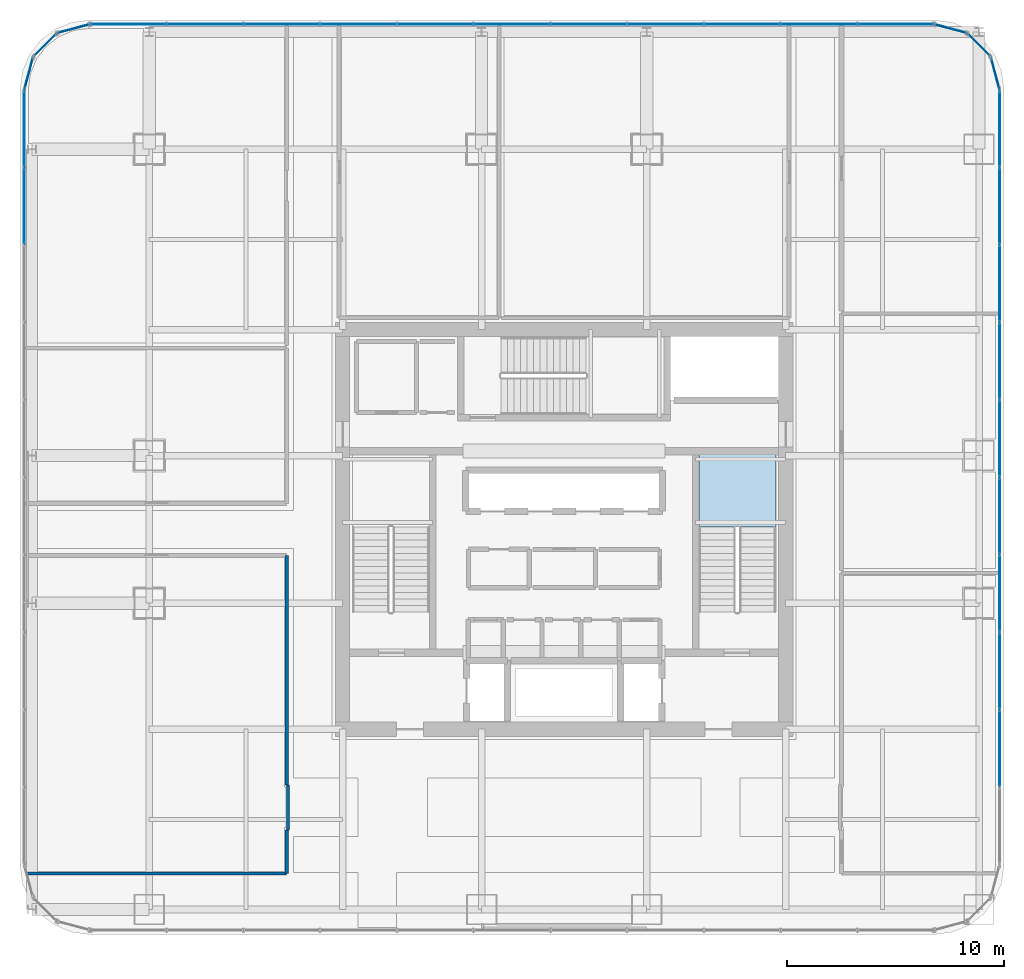
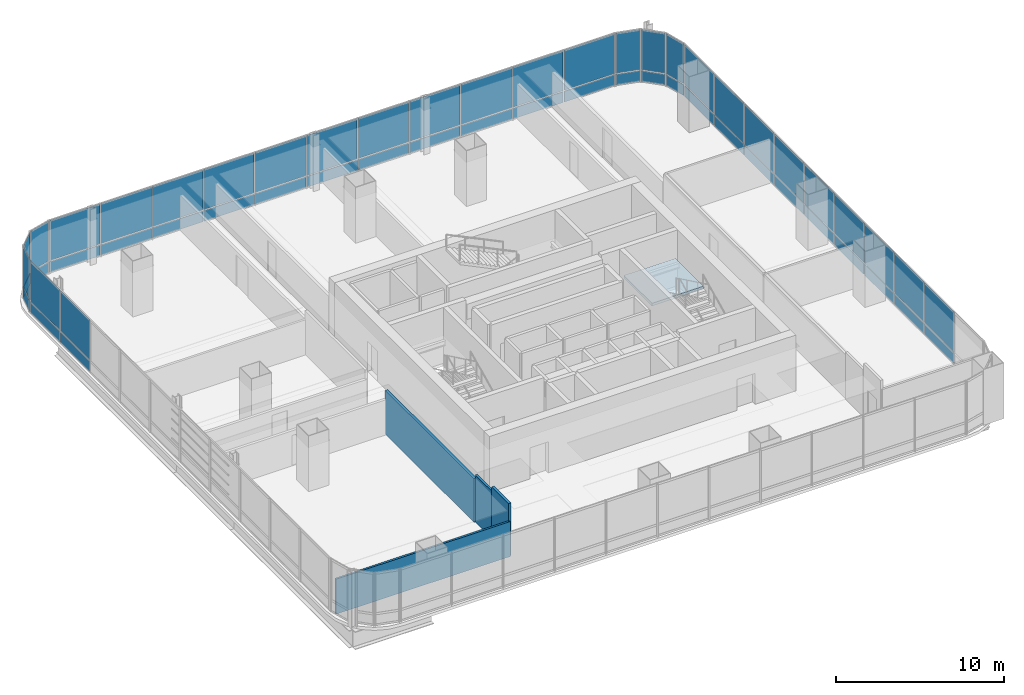
# One storey, part 29 of 38: 56 plates, 4 walls, 1 slab, 10 elements without a shape of their own.
"""IFC4 building model written with IfcOpenShell, lengths in metres."""

from ifc_helpers import new_model, si_unit, direction, frame, frame_2d, origin, origin_2d, place, context, subcontext, project, spatial, polyline, rectangle, outline, extrude, material, layer, layer_set, type_object, element, aggregate, save


model = new_model("IFC4")

# Units and contexts
model_context = context("Model", 3, precision=1e-05, world=origin(), true_north=direction((0.0, 1.0)))
body_context = subcontext(model_context, "Body", "Model", "MODEL_VIEW")
ifc_project = project(units=[si_unit("LENGTHUNIT", "METRE"), si_unit("AREAUNIT", "SQUARE_METRE"), si_unit("VOLUMEUNIT", "CUBIC_METRE"), si_unit("PLANEANGLEUNIT", "RADIAN"), si_unit("MASSUNIT", "GRAM", prefix="KILO")], contexts=[model_context])

# Site, building, storey
site_placement = place(None, origin())
site = spatial("IfcSite", under=ifc_project, at=site_placement, CompositionType="ELEMENT")
building_placement = place(site_placement, origin())
building = spatial("IfcBuilding", under=site, at=building_placement, Name="Punatoya Terracotta Tower", CompositionType="ELEMENT")
storey_placement = place(building_placement, frame((0.0, 0.0, 143.85009765625)))
storey = spatial("IfcBuildingStorey", under=building, at=storey_placement, Name="L33", CompositionType="ELEMENT", Elevation=143.85009765625)

# Curtain wall, plates
ifc_material_1 = material(Name="Aluminium 6063-T6 + Double Low-E Glass", Category="aluminium")
curtain_wall_type = type_object("IfcCurtainWallType", Name="CW-M2", PredefinedType="NOTDEFINED", material=ifc_material_1)
curtain_wall_1_placement = place(storey_placement, origin())
curtain_wall_1 = element("IfcCurtainWall", 1, at=curtain_wall_1_placement, inside=storey, type_object=curtain_wall_type, Name="L33 Curtain Wall CW-L33-E05-1", PredefinedType="NOTDEFINED")
ifc_material_2 = material(Name="Double Low-E Acoustic Vision Glass", Category="glass")
ifc_layer_1 = layer(ifc_material_2, 0.031982421875)
ifc_layer_set_1 = layer_set([ifc_layer_1], Name="Double Low-E Acoustic Vision Glass")
plate_type_1 = type_object("IfcPlateType", Name="PLT-GLZ-32", PredefinedType="CURTAIN_PANEL", material=ifc_layer_set_1)
plate_1_placement = place(storey_placement, frame((20.050048828125, -10.085693359375, 0.889892578125), z_axis=(0.0, 0.0, 1.0), x_axis=(0.0, 1.0, 0.0)))
plate_1 = element("IfcPlate", 2, at=plate_1_placement, type_object=plate_type_1, Name="CW-L33-E05-1 Vision Glass Panel 2", PredefinedType="CURTAIN_PANEL", context=body_context, shape_type="SweptSolid", body=[
    extrude(rectangle(XDim=3.482421875, YDim=0.031982421875, at=origin_2d()), origin(), (0.0, 0.0, 1.0), 2.89990234375),
])
plate_2_placement = place(storey_placement, frame((20.050048828125, -6.518310546875, 0.889892578125), z_axis=(0.0, 0.0, 1.0), x_axis=(0.0, 1.0, 0.0)))
plate_2 = element("IfcPlate", 3, at=plate_2_placement, type_object=plate_type_1, Name="CW-L33-E05-1 Vision Glass Panel 3", PredefinedType="CURTAIN_PANEL", context=body_context, shape_type="SweptSolid", body=[
    extrude(rectangle(XDim=3.482421875, YDim=0.031982421875, at=origin_2d()), origin(), (0.0, 0.0, 1.0), 2.89990234375),
])
plate_3_placement = place(storey_placement, frame((20.050048828125, -2.951171875, 0.889892578125), z_axis=(0.0, 0.0, 1.0), x_axis=(0.0, 1.0, 0.0)))
plate_3 = element("IfcPlate", 4, at=plate_3_placement, type_object=plate_type_1, Name="CW-L33-E05-1 Vision Glass Panel 4", PredefinedType="CURTAIN_PANEL", context=body_context, shape_type="SweptSolid", body=[
    extrude(rectangle(XDim=3.482421875, YDim=0.031982421875, at=origin_2d()), origin(), (0.0, 0.0, 1.0), 2.89990234375),
])
plate_4_placement = place(storey_placement, frame((20.050048828125, 0.6162109375, 0.889892578125), z_axis=(0.0, 0.0, 1.0), x_axis=(0.0, 1.0, 0.0)))
plate_4 = element("IfcPlate", 5, at=plate_4_placement, type_object=plate_type_1, Name="CW-L33-E05-1 Vision Glass Panel 5", PredefinedType="CURTAIN_PANEL", context=body_context, shape_type="SweptSolid", body=[
    extrude(rectangle(XDim=3.482421875, YDim=0.031982421875, at=origin_2d()), origin(), (0.0, 0.0, 1.0), 2.89990234375),
])
plate_5_placement = place(storey_placement, frame((20.050048828125, 4.18359375, 0.889892578125), z_axis=(0.0, 0.0, 1.0), x_axis=(0.0, 1.0, 0.0)))
plate_5 = element("IfcPlate", 6, at=plate_5_placement, type_object=plate_type_1, Name="CW-L33-E05-1 Vision Glass Panel 6", PredefinedType="CURTAIN_PANEL", context=body_context, shape_type="SweptSolid", body=[
    extrude(rectangle(XDim=3.482421875, YDim=0.031982421875, at=origin_2d()), origin(), (0.0, 0.0, 1.0), 2.89990234375),
])
plate_6_placement = place(storey_placement, frame((20.050048828125, 7.751220703125, 0.889892578125), z_axis=(0.0, 0.0, 1.0), x_axis=(0.0, 1.0, 0.0)))
plate_6 = element("IfcPlate", 7, at=plate_6_placement, type_object=plate_type_1, Name="CW-L33-E05-1 Vision Glass Panel 7", PredefinedType="CURTAIN_PANEL", context=body_context, shape_type="SweptSolid", body=[
    extrude(rectangle(XDim=3.482421875, YDim=0.031982421875, at=origin_2d()), origin(), (0.0, 0.0, 1.0), 2.89990234375),
])
plate_7_placement = place(storey_placement, frame((20.050048828125, 11.318359375, 0.889892578125), z_axis=(0.0, 0.0, 1.0), x_axis=(0.0, 1.0, 0.0)))
plate_7 = element("IfcPlate", 8, at=plate_7_placement, type_object=plate_type_1, Name="CW-L33-E05-1 Vision Glass Panel 8", PredefinedType="CURTAIN_PANEL", context=body_context, shape_type="SweptSolid", body=[
    extrude(rectangle(XDim=3.482421875, YDim=0.031982421875, at=origin_2d()), origin(), (0.0, 0.0, 1.0), 2.89990234375),
])
plate_8_placement = place(storey_placement, frame((20.050048828125, 14.8857421875, 0.889892578125), z_axis=(0.0, 0.0, 1.0), x_axis=(0.0, 1.0, 0.0)))
plate_8 = element("IfcPlate", 9, at=plate_8_placement, type_object=plate_type_1, Name="CW-L33-E05-1 Vision Glass Panel 9", PredefinedType="CURTAIN_PANEL", context=body_context, shape_type="SweptSolid", body=[
    extrude(rectangle(XDim=3.482421875, YDim=0.031982421875, at=origin_2d()), origin(), (0.0, 0.0, 1.0), 2.89990234375),
])
plate_9_placement = place(storey_placement, frame((20.050048828125, 18.453125, 0.889892578125), z_axis=(0.0, 0.0, 1.0), x_axis=(0.0, 1.0, 0.0)))
plate_9 = element("IfcPlate", 10, at=plate_9_placement, type_object=plate_type_1, Name="CW-L33-E05-1 Vision Glass Panel 10", PredefinedType="CURTAIN_PANEL", context=body_context, shape_type="SweptSolid", body=[
    extrude(rectangle(XDim=3.482421875, YDim=0.031982421875, at=origin_2d()), origin(), (0.0, 0.0, 1.0), 2.89990234375),
])

# Curtain wall, plate
curtain_wall_2_placement = place(storey_placement, origin())
curtain_wall_2 = element("IfcCurtainWall", 11, at=curtain_wall_2_placement, inside=storey, type_object=curtain_wall_type, Name="L33 Curtain Wall CW-L33-CRN06", PredefinedType="NOTDEFINED")
plate_10_placement = place(storey_placement, frame((19.848388671875, 20.992919921875, 0.889892578125), z_axis=(0.0, 0.0, 1.0), x_axis=(-0.257741620719, 0.966213877436, 0.0)))
plate_10 = element("IfcPlate", 12, at=plate_10_placement, type_object=plate_type_1, Name="CW-L33-CRN06 Vision Glass Panel 1", PredefinedType="CURTAIN_PANEL", context=body_context, shape_type="SweptSolid", body=[
    extrude(rectangle(XDim=1.47998046875, YDim=0.031982421875, at=origin_2d()), origin(), (0.0, 0.0, 1.0), 2.89990234375),
])

curtain_wall_3_placement = place(storey_placement, origin())
curtain_wall_3 = element("IfcCurtainWall", 13, at=curtain_wall_3_placement, inside=storey, type_object=curtain_wall_type, Name="L33 Curtain Wall CW-L33-CRN07", PredefinedType="NOTDEFINED")
plate_11_placement = place(storey_placement, frame((19.097900390625, 22.2978515625, 0.889892578125), z_axis=(0.0, 0.0, 1.0), x_axis=(-0.707106781187, 0.707106781187, 0.0)))
plate_11 = element("IfcPlate", 14, at=plate_11_placement, type_object=plate_type_1, Name="CW-L33-CRN07 Vision Glass Panel 1", PredefinedType="CURTAIN_PANEL", context=body_context, shape_type="SweptSolid", body=[
    extrude(rectangle(XDim=1.467041015625, YDim=0.031982421875, at=origin_2d()), origin(), (0.0, 0.0, 1.0), 2.89990234375),
])

curtain_wall_4_placement = place(storey_placement, origin())
curtain_wall_4 = element("IfcCurtainWall", 15, at=curtain_wall_4_placement, inside=storey, type_object=curtain_wall_type, Name="L33 Curtain Wall CW-L33-CRN08", PredefinedType="NOTDEFINED")
plate_12_placement = place(storey_placement, frame((17.79296875, 23.04833984375, 0.889892578125), z_axis=(0.0, 0.0, 1.0), x_axis=(-0.966213877436, 0.257741620719, 0.0)))
plate_12 = element("IfcPlate", 16, at=plate_12_placement, type_object=plate_type_1, Name="CW-L33-CRN08 Vision Glass Panel 1", PredefinedType="CURTAIN_PANEL", context=body_context, shape_type="SweptSolid", body=[
    extrude(rectangle(XDim=1.47998046875, YDim=0.031982421875, at=origin_2d()), origin(), (0.0, 0.0, 1.0), 2.89990234375),
])

# Curtain wall, plates
curtain_wall_5_placement = place(storey_placement, origin())
curtain_wall_5 = element("IfcCurtainWall", 17, at=curtain_wall_5_placement, inside=storey, type_object=curtain_wall_type, Name="L33 Curtain Wall CW-L33-N09-1", PredefinedType="NOTDEFINED")
plate_13_placement = place(storey_placement, frame((15.27001953125, 23.25, 0.889892578125), z_axis=(0.0, 0.0, 1.0), x_axis=(-1.0, 0.0, 0.0)))
plate_13 = element("IfcPlate", 18, at=plate_13_placement, type_object=plate_type_1, Name="CW-L33-N09-1 Vision Glass Panel 1", PredefinedType="CURTAIN_PANEL", context=body_context, shape_type="SweptSolid", body=[
    extrude(rectangle(XDim=3.448974609375, YDim=0.031982421875, at=origin_2d()), origin(), (0.0, 0.0, 1.0), 2.89990234375),
])
plate_14_placement = place(storey_placement, frame((11.73583984375, 23.25, 0.889892578125), z_axis=(0.0, 0.0, 1.0), x_axis=(-1.0, 0.0, 0.0)))
plate_14 = element("IfcPlate", 19, at=plate_14_placement, type_object=plate_type_1, Name="CW-L33-N09-1 Vision Glass Panel 2", PredefinedType="CURTAIN_PANEL", context=body_context, shape_type="SweptSolid", body=[
    extrude(rectangle(XDim=3.448974609375, YDim=0.031982421875, at=origin_2d()), origin(), (0.0, 0.0, 1.0), 2.89990234375),
])
plate_15_placement = place(storey_placement, frame((8.201904296875, 23.25, 0.889892578125), z_axis=(0.0, 0.0, 1.0), x_axis=(-1.0, 0.0, 0.0)))
plate_15 = element("IfcPlate", 20, at=plate_15_placement, type_object=plate_type_1, Name="CW-L33-N09-1 Vision Glass Panel 3", PredefinedType="CURTAIN_PANEL", context=body_context, shape_type="SweptSolid", body=[
    extrude(rectangle(XDim=3.448974609375, YDim=0.031982421875, at=origin_2d()), origin(), (0.0, 0.0, 1.0), 2.89990234375),
])
plate_16_placement = place(storey_placement, frame((4.66796875, 23.25, 0.889892578125), z_axis=(0.0, 0.0, 1.0), x_axis=(-1.0, 0.0, 0.0)))
plate_16 = element("IfcPlate", 21, at=plate_16_placement, type_object=plate_type_1, Name="CW-L33-N09-1 Vision Glass Panel 4", PredefinedType="CURTAIN_PANEL", context=body_context, shape_type="SweptSolid", body=[
    extrude(rectangle(XDim=3.448974609375, YDim=0.031982421875, at=origin_2d()), origin(), (0.0, 0.0, 1.0), 2.89990234375),
])
plate_17_placement = place(storey_placement, frame((1.134033203125, 23.25, 0.889892578125), z_axis=(0.0, 0.0, 1.0), x_axis=(-1.0, 0.0, 0.0)))
plate_17 = element("IfcPlate", 22, at=plate_17_placement, type_object=plate_type_1, Name="CW-L33-N09-1 Vision Glass Panel 5", PredefinedType="CURTAIN_PANEL", context=body_context, shape_type="SweptSolid", body=[
    extrude(rectangle(XDim=3.448974609375, YDim=0.031982421875, at=origin_2d()), origin(), (0.0, 0.0, 1.0), 2.89990234375),
])
plate_18_placement = place(storey_placement, frame((-2.39990234375, 23.25, 0.889892578125), z_axis=(0.0, 0.0, 1.0), x_axis=(-1.0, 0.0, 0.0)))
plate_18 = element("IfcPlate", 23, at=plate_18_placement, type_object=plate_type_1, Name="CW-L33-N09-1 Vision Glass Panel 6", PredefinedType="CURTAIN_PANEL", context=body_context, shape_type="SweptSolid", body=[
    extrude(rectangle(XDim=3.448974609375, YDim=0.031982421875, at=origin_2d()), origin(), (0.0, 0.0, 1.0), 2.89990234375),
])
plate_19_placement = place(storey_placement, frame((-5.93408203125, 23.25, 0.889892578125), z_axis=(0.0, 0.0, 1.0), x_axis=(-1.0, 0.0, 0.0)))
plate_19 = element("IfcPlate", 24, at=plate_19_placement, type_object=plate_type_1, Name="CW-L33-N09-1 Vision Glass Panel 7", PredefinedType="CURTAIN_PANEL", context=body_context, shape_type="SweptSolid", body=[
    extrude(rectangle(XDim=3.448974609375, YDim=0.031982421875, at=origin_2d()), origin(), (0.0, 0.0, 1.0), 2.89990234375),
])
plate_20_placement = place(storey_placement, frame((-9.468017578125, 23.25, 0.889892578125), z_axis=(0.0, 0.0, 1.0), x_axis=(-1.0, 0.0, 0.0)))
plate_20 = element("IfcPlate", 25, at=plate_20_placement, type_object=plate_type_1, Name="CW-L33-N09-1 Vision Glass Panel 8", PredefinedType="CURTAIN_PANEL", context=body_context, shape_type="SweptSolid", body=[
    extrude(rectangle(XDim=3.448974609375, YDim=0.031982421875, at=origin_2d()), origin(), (0.0, 0.0, 1.0), 2.89990234375),
])
plate_21_placement = place(storey_placement, frame((-13.001953125, 23.25, 0.889892578125), z_axis=(0.0, 0.0, 1.0), x_axis=(-1.0, 0.0, 0.0)))
plate_21 = element("IfcPlate", 26, at=plate_21_placement, type_object=plate_type_1, Name="CW-L33-N09-1 Vision Glass Panel 9", PredefinedType="CURTAIN_PANEL", context=body_context, shape_type="SweptSolid", body=[
    extrude(rectangle(XDim=3.448974609375, YDim=0.031982421875, at=origin_2d()), origin(), (0.0, 0.0, 1.0), 2.89990234375),
])
plate_22_placement = place(storey_placement, frame((-16.535888671875, 23.25, 0.889892578125), z_axis=(0.0, 0.0, 1.0), x_axis=(-1.0, 0.0, 0.0)))
plate_22 = element("IfcPlate", 27, at=plate_22_placement, type_object=plate_type_1, Name="CW-L33-N09-1 Vision Glass Panel 10", PredefinedType="CURTAIN_PANEL", context=body_context, shape_type="SweptSolid", body=[
    extrude(rectangle(XDim=3.448974609375, YDim=0.031982421875, at=origin_2d()), origin(), (0.0, 0.0, 1.0), 2.89990234375),
])
plate_23_placement = place(storey_placement, frame((-20.06982421875, 23.25, 0.889892578125), z_axis=(0.0, 0.0, 1.0), x_axis=(-1.0, 0.0, 0.0)))
plate_23 = element("IfcPlate", 28, at=plate_23_placement, type_object=plate_type_1, Name="CW-L33-N09-1 Vision Glass Panel 11", PredefinedType="CURTAIN_PANEL", context=body_context, shape_type="SweptSolid", body=[
    extrude(rectangle(XDim=3.448974609375, YDim=0.031982421875, at=origin_2d()), origin(), (0.0, 0.0, 1.0), 2.89990234375),
])

# Curtain wall, plate
curtain_wall_6_placement = place(storey_placement, origin())
curtain_wall_6 = element("IfcCurtainWall", 29, at=curtain_wall_6_placement, inside=storey, type_object=curtain_wall_type, Name="L33 Curtain Wall CW-L33-CRN10", PredefinedType="NOTDEFINED")
plate_24_placement = place(storey_placement, frame((-22.593017578125, 23.04833984375, 0.889892578125), z_axis=(0.0, 0.0, 1.0), x_axis=(-0.966213877436, -0.257741620719, 0.0)))
plate_24 = element("IfcPlate", 30, at=plate_24_placement, type_object=plate_type_1, Name="CW-L33-CRN10 Vision Glass Panel 1", PredefinedType="CURTAIN_PANEL", context=body_context, shape_type="SweptSolid", body=[
    extrude(rectangle(XDim=1.47998046875, YDim=0.031982421875, at=origin_2d()), origin(), (0.0, 0.0, 1.0), 2.89990234375),
])

curtain_wall_7_placement = place(storey_placement, origin())
curtain_wall_7 = element("IfcCurtainWall", 31, at=curtain_wall_7_placement, inside=storey, type_object=curtain_wall_type, Name="L33 Curtain Wall CW-L33-CRN11", PredefinedType="NOTDEFINED")
plate_25_placement = place(storey_placement, frame((-23.89794921875, 22.2978515625, 0.889892578125), z_axis=(0.0, 0.0, 1.0), x_axis=(-0.707106781187, -0.707106781187, 0.0)))
plate_25 = element("IfcPlate", 32, at=plate_25_placement, type_object=plate_type_1, Name="CW-L33-CRN11 Vision Glass Panel 1", PredefinedType="CURTAIN_PANEL", context=body_context, shape_type="SweptSolid", body=[
    extrude(rectangle(XDim=1.467041015625, YDim=0.031982421875, at=origin_2d()), origin(), (0.0, 0.0, 1.0), 2.89990234375),
])

curtain_wall_8_placement = place(storey_placement, origin())
curtain_wall_8 = element("IfcCurtainWall", 33, at=curtain_wall_8_placement, inside=storey, type_object=curtain_wall_type, Name="L33 Curtain Wall CW-L33-CRN12", PredefinedType="NOTDEFINED")
plate_26_placement = place(storey_placement, frame((-24.648193359375, 20.992919921875, 0.889892578125), z_axis=(0.0, 0.0, 1.0), x_axis=(-0.257741620719, -0.966213877436, 0.0)))
plate_26 = element("IfcPlate", 34, at=plate_26_placement, type_object=plate_type_1, Name="CW-L33-CRN12 Vision Glass Panel 1", PredefinedType="CURTAIN_PANEL", context=body_context, shape_type="SweptSolid", body=[
    extrude(rectangle(XDim=1.47998046875, YDim=0.031982421875, at=origin_2d()), origin(), (0.0, 0.0, 1.0), 2.89990234375),
])

# Curtain wall, plates
curtain_wall_9_placement = place(storey_placement, origin())
curtain_wall_9 = element("IfcCurtainWall", 35, at=curtain_wall_9_placement, inside=storey, type_object=curtain_wall_type, Name="L33 Curtain Wall CW-L33-W13-1", PredefinedType="NOTDEFINED")
plate_27_placement = place(storey_placement, frame((-24.85009765625, 18.453125, 0.889892578125), z_axis=(0.0, 0.0, 1.0), x_axis=(0.0, -1.0, 0.0)))
plate_27 = element("IfcPlate", 36, at=plate_27_placement, type_object=plate_type_1, Name="CW-L33-W13-1 Vision Glass Panel 1", PredefinedType="CURTAIN_PANEL", context=body_context, shape_type="SweptSolid", body=[
    extrude(rectangle(XDim=3.482421875, YDim=0.031982421875, at=origin_2d()), origin(), (0.0, 0.0, 1.0), 2.89990234375),
])
plate_28_placement = place(storey_placement, frame((-24.85009765625, 14.8857421875, 0.889892578125), z_axis=(0.0, 0.0, 1.0), x_axis=(0.0, -1.0, 0.0)))
plate_28 = element("IfcPlate", 37, at=plate_28_placement, type_object=plate_type_1, Name="CW-L33-W13-1 Vision Glass Panel 2", PredefinedType="CURTAIN_PANEL", context=body_context, shape_type="SweptSolid", body=[
    extrude(rectangle(XDim=3.482421875, YDim=0.031982421875, at=origin_2d()), origin(), (0.0, 0.0, 1.0), 2.89990234375),
])

# Plate
ifc_material_3 = material(Name="Insulated Terracotta-Backed Spandrel Panel", Category="masonry")
ifc_layer_2 = layer(ifc_material_3, 0.044921875)
ifc_layer_set_2 = layer_set([ifc_layer_2], Name="Insulated Terracotta-Backed Spandrel Panel")
plate_type_2 = type_object("IfcPlateType", Name="PLT-SPN-45", PredefinedType="CURTAIN_PANEL", material=ifc_layer_set_2)
plate_29_placement = place(storey_placement, frame((20.050048828125, -10.085693359375, 0.0400390625), z_axis=(0.0, 0.0, 1.0), x_axis=(0.0, 1.0, 0.0)))
plate_29 = element("IfcPlate", 38, at=plate_29_placement, type_object=plate_type_2, Name="CW-L33-E05-1 Terracotta Spandrel Panel 2", PredefinedType="CURTAIN_PANEL", context=body_context, shape_type="SweptSolid", body=[
    extrude(rectangle(XDim=3.482421875, YDim=0.044921875, at=origin_2d()), origin(), (0.0, 0.0, 1.0), 0.77490234375),
])

plate_30_placement = place(storey_placement, frame((20.050048828125, -6.518310546875, 0.0400390625), z_axis=(0.0, 0.0, 1.0), x_axis=(0.0, 1.0, 0.0)))
plate_30 = element("IfcPlate", 39, at=plate_30_placement, type_object=plate_type_2, Name="CW-L33-E05-1 Terracotta Spandrel Panel 3", PredefinedType="CURTAIN_PANEL", context=body_context, shape_type="SweptSolid", body=[
    extrude(rectangle(XDim=3.482421875, YDim=0.044921875, at=origin_2d()), origin(), (0.0, 0.0, 1.0), 0.77490234375),
])

plate_31_placement = place(storey_placement, frame((20.050048828125, -2.951171875, 0.0400390625), z_axis=(0.0, 0.0, 1.0), x_axis=(0.0, 1.0, 0.0)))
plate_31 = element("IfcPlate", 40, at=plate_31_placement, type_object=plate_type_2, Name="CW-L33-E05-1 Terracotta Spandrel Panel 4", PredefinedType="CURTAIN_PANEL", context=body_context, shape_type="SweptSolid", body=[
    extrude(rectangle(XDim=3.482421875, YDim=0.044921875, at=origin_2d()), origin(), (0.0, 0.0, 1.0), 0.77490234375),
])

plate_32_placement = place(storey_placement, frame((20.050048828125, 0.6162109375, 0.0400390625), z_axis=(0.0, 0.0, 1.0), x_axis=(0.0, 1.0, 0.0)))
plate_32 = element("IfcPlate", 41, at=plate_32_placement, type_object=plate_type_2, Name="CW-L33-E05-1 Terracotta Spandrel Panel 5", PredefinedType="CURTAIN_PANEL", context=body_context, shape_type="SweptSolid", body=[
    extrude(rectangle(XDim=3.482421875, YDim=0.044921875, at=origin_2d()), origin(), (0.0, 0.0, 1.0), 0.77490234375),
])

plate_33_placement = place(storey_placement, frame((20.050048828125, 4.18359375, 0.0400390625), z_axis=(0.0, 0.0, 1.0), x_axis=(0.0, 1.0, 0.0)))
plate_33 = element("IfcPlate", 42, at=plate_33_placement, type_object=plate_type_2, Name="CW-L33-E05-1 Terracotta Spandrel Panel 6", PredefinedType="CURTAIN_PANEL", context=body_context, shape_type="SweptSolid", body=[
    extrude(rectangle(XDim=3.482421875, YDim=0.044921875, at=origin_2d()), origin(), (0.0, 0.0, 1.0), 0.77490234375),
])

plate_34_placement = place(storey_placement, frame((20.050048828125, 7.751220703125, 0.0400390625), z_axis=(0.0, 0.0, 1.0), x_axis=(0.0, 1.0, 0.0)))
plate_34 = element("IfcPlate", 43, at=plate_34_placement, type_object=plate_type_2, Name="CW-L33-E05-1 Terracotta Spandrel Panel 7", PredefinedType="CURTAIN_PANEL", context=body_context, shape_type="SweptSolid", body=[
    extrude(rectangle(XDim=3.482421875, YDim=0.044921875, at=origin_2d()), origin(), (0.0, 0.0, 1.0), 0.77490234375),
])

plate_35_placement = place(storey_placement, frame((20.050048828125, 11.318359375, 0.0400390625), z_axis=(0.0, 0.0, 1.0), x_axis=(0.0, 1.0, 0.0)))
plate_35 = element("IfcPlate", 44, at=plate_35_placement, type_object=plate_type_2, Name="CW-L33-E05-1 Terracotta Spandrel Panel 8", PredefinedType="CURTAIN_PANEL", context=body_context, shape_type="SweptSolid", body=[
    extrude(rectangle(XDim=3.482421875, YDim=0.044921875, at=origin_2d()), origin(), (0.0, 0.0, 1.0), 0.77490234375),
])

plate_36_placement = place(storey_placement, frame((20.050048828125, 14.8857421875, 0.0400390625), z_axis=(0.0, 0.0, 1.0), x_axis=(0.0, 1.0, 0.0)))
plate_36 = element("IfcPlate", 45, at=plate_36_placement, type_object=plate_type_2, Name="CW-L33-E05-1 Terracotta Spandrel Panel 9", PredefinedType="CURTAIN_PANEL", context=body_context, shape_type="SweptSolid", body=[
    extrude(rectangle(XDim=3.482421875, YDim=0.044921875, at=origin_2d()), origin(), (0.0, 0.0, 1.0), 0.77490234375),
])

plate_37_placement = place(storey_placement, frame((20.050048828125, 18.453125, 0.0400390625), z_axis=(0.0, 0.0, 1.0), x_axis=(0.0, 1.0, 0.0)))
plate_37 = element("IfcPlate", 46, at=plate_37_placement, type_object=plate_type_2, Name="CW-L33-E05-1 Terracotta Spandrel Panel 10", PredefinedType="CURTAIN_PANEL", context=body_context, shape_type="SweptSolid", body=[
    extrude(rectangle(XDim=3.482421875, YDim=0.044921875, at=origin_2d()), origin(), (0.0, 0.0, 1.0), 0.77490234375),
])

aggregate(curtain_wall_1, [plate_29, plate_1, plate_30, plate_2, plate_31, plate_3, plate_32, plate_4, plate_33, plate_5, plate_34, plate_6, plate_35, plate_7, plate_36, plate_8, plate_37, plate_9])

plate_38_placement = place(storey_placement, frame((19.848388671875, 20.992919921875, 0.0400390625), z_axis=(0.0, 0.0, 1.0), x_axis=(-0.257741620719, 0.966213877436, 0.0)))
plate_38 = element("IfcPlate", 47, at=plate_38_placement, type_object=plate_type_2, Name="CW-L33-CRN06 Terracotta Spandrel Panel 1", PredefinedType="CURTAIN_PANEL", context=body_context, shape_type="SweptSolid", body=[
    extrude(rectangle(XDim=1.47998046875, YDim=0.044921875, at=origin_2d()), origin(), (0.0, 0.0, 1.0), 0.77490234375),
])

aggregate(curtain_wall_2, [plate_38, plate_10])

plate_39_placement = place(storey_placement, frame((19.097900390625, 22.2978515625, 0.0400390625), z_axis=(0.0, 0.0, 1.0), x_axis=(-0.707106781187, 0.707106781187, 0.0)))
plate_39 = element("IfcPlate", 48, at=plate_39_placement, type_object=plate_type_2, Name="CW-L33-CRN07 Terracotta Spandrel Panel 1", PredefinedType="CURTAIN_PANEL", context=body_context, shape_type="SweptSolid", body=[
    extrude(rectangle(XDim=1.467041015625, YDim=0.044921875, at=origin_2d()), origin(), (0.0, 0.0, 1.0), 0.77490234375),
])

aggregate(curtain_wall_3, [plate_39, plate_11])

plate_40_placement = place(storey_placement, frame((17.79296875, 23.04833984375, 0.0400390625), z_axis=(0.0, 0.0, 1.0), x_axis=(-0.966213877436, 0.257741620719, 0.0)))
plate_40 = element("IfcPlate", 49, at=plate_40_placement, type_object=plate_type_2, Name="CW-L33-CRN08 Terracotta Spandrel Panel 1", PredefinedType="CURTAIN_PANEL", context=body_context, shape_type="SweptSolid", body=[
    extrude(rectangle(XDim=1.47998046875, YDim=0.044921875, at=origin_2d()), origin(), (0.0, 0.0, 1.0), 0.77490234375),
])

aggregate(curtain_wall_4, [plate_40, plate_12])

plate_41_placement = place(storey_placement, frame((15.27001953125, 23.25, 0.0400390625), z_axis=(0.0, 0.0, 1.0), x_axis=(-1.0, 0.0, 0.0)))
plate_41 = element("IfcPlate", 50, at=plate_41_placement, type_object=plate_type_2, Name="CW-L33-N09-1 Terracotta Spandrel Panel 1", PredefinedType="CURTAIN_PANEL", context=body_context, shape_type="SweptSolid", body=[
    extrude(rectangle(XDim=3.448974609375, YDim=0.044921875, at=origin_2d()), origin(), (0.0, 0.0, 1.0), 0.77490234375),
])

plate_42_placement = place(storey_placement, frame((11.73583984375, 23.25, 0.0400390625), z_axis=(0.0, 0.0, 1.0), x_axis=(-1.0, 0.0, 0.0)))
plate_42 = element("IfcPlate", 51, at=plate_42_placement, type_object=plate_type_2, Name="CW-L33-N09-1 Terracotta Spandrel Panel 2", PredefinedType="CURTAIN_PANEL", context=body_context, shape_type="SweptSolid", body=[
    extrude(rectangle(XDim=3.448974609375, YDim=0.044921875, at=origin_2d()), origin(), (0.0, 0.0, 1.0), 0.77490234375),
])

plate_43_placement = place(storey_placement, frame((8.201904296875, 23.25, 0.0400390625), z_axis=(0.0, 0.0, 1.0), x_axis=(-1.0, 0.0, 0.0)))
plate_43 = element("IfcPlate", 52, at=plate_43_placement, type_object=plate_type_2, Name="CW-L33-N09-1 Terracotta Spandrel Panel 3", PredefinedType="CURTAIN_PANEL", context=body_context, shape_type="SweptSolid", body=[
    extrude(rectangle(XDim=3.448974609375, YDim=0.044921875, at=origin_2d()), origin(), (0.0, 0.0, 1.0), 0.77490234375),
])

plate_44_placement = place(storey_placement, frame((4.66796875, 23.25, 0.0400390625), z_axis=(0.0, 0.0, 1.0), x_axis=(-1.0, 0.0, 0.0)))
plate_44 = element("IfcPlate", 53, at=plate_44_placement, type_object=plate_type_2, Name="CW-L33-N09-1 Terracotta Spandrel Panel 4", PredefinedType="CURTAIN_PANEL", context=body_context, shape_type="SweptSolid", body=[
    extrude(rectangle(XDim=3.448974609375, YDim=0.044921875, at=origin_2d()), origin(), (0.0, 0.0, 1.0), 0.77490234375),
])

plate_45_placement = place(storey_placement, frame((1.134033203125, 23.25, 0.0400390625), z_axis=(0.0, 0.0, 1.0), x_axis=(-1.0, 0.0, 0.0)))
plate_45 = element("IfcPlate", 54, at=plate_45_placement, type_object=plate_type_2, Name="CW-L33-N09-1 Terracotta Spandrel Panel 5", PredefinedType="CURTAIN_PANEL", context=body_context, shape_type="SweptSolid", body=[
    extrude(rectangle(XDim=3.448974609375, YDim=0.044921875, at=origin_2d()), origin(), (0.0, 0.0, 1.0), 0.77490234375),
])

plate_46_placement = place(storey_placement, frame((-2.39990234375, 23.25, 0.0400390625), z_axis=(0.0, 0.0, 1.0), x_axis=(-1.0, 0.0, 0.0)))
plate_46 = element("IfcPlate", 55, at=plate_46_placement, type_object=plate_type_2, Name="CW-L33-N09-1 Terracotta Spandrel Panel 6", PredefinedType="CURTAIN_PANEL", context=body_context, shape_type="SweptSolid", body=[
    extrude(rectangle(XDim=3.448974609375, YDim=0.044921875, at=origin_2d()), origin(), (0.0, 0.0, 1.0), 0.77490234375),
])

plate_47_placement = place(storey_placement, frame((-5.93408203125, 23.25, 0.0400390625), z_axis=(0.0, 0.0, 1.0), x_axis=(-1.0, 0.0, 0.0)))
plate_47 = element("IfcPlate", 56, at=plate_47_placement, type_object=plate_type_2, Name="CW-L33-N09-1 Terracotta Spandrel Panel 7", PredefinedType="CURTAIN_PANEL", context=body_context, shape_type="SweptSolid", body=[
    extrude(rectangle(XDim=3.448974609375, YDim=0.044921875, at=origin_2d()), origin(), (0.0, 0.0, 1.0), 0.77490234375),
])

plate_48_placement = place(storey_placement, frame((-9.468017578125, 23.25, 0.0400390625), z_axis=(0.0, 0.0, 1.0), x_axis=(-1.0, 0.0, 0.0)))
plate_48 = element("IfcPlate", 57, at=plate_48_placement, type_object=plate_type_2, Name="CW-L33-N09-1 Terracotta Spandrel Panel 8", PredefinedType="CURTAIN_PANEL", context=body_context, shape_type="SweptSolid", body=[
    extrude(rectangle(XDim=3.448974609375, YDim=0.044921875, at=origin_2d()), origin(), (0.0, 0.0, 1.0), 0.77490234375),
])

plate_49_placement = place(storey_placement, frame((-13.001953125, 23.25, 0.0400390625), z_axis=(0.0, 0.0, 1.0), x_axis=(-1.0, 0.0, 0.0)))
plate_49 = element("IfcPlate", 58, at=plate_49_placement, type_object=plate_type_2, Name="CW-L33-N09-1 Terracotta Spandrel Panel 9", PredefinedType="CURTAIN_PANEL", context=body_context, shape_type="SweptSolid", body=[
    extrude(rectangle(XDim=3.448974609375, YDim=0.044921875, at=origin_2d()), origin(), (0.0, 0.0, 1.0), 0.77490234375),
])

plate_50_placement = place(storey_placement, frame((-16.535888671875, 23.25, 0.0400390625), z_axis=(0.0, 0.0, 1.0), x_axis=(-1.0, 0.0, 0.0)))
plate_50 = element("IfcPlate", 59, at=plate_50_placement, type_object=plate_type_2, Name="CW-L33-N09-1 Terracotta Spandrel Panel 10", PredefinedType="CURTAIN_PANEL", context=body_context, shape_type="SweptSolid", body=[
    extrude(rectangle(XDim=3.448974609375, YDim=0.044921875, at=origin_2d()), origin(), (0.0, 0.0, 1.0), 0.77490234375),
])

plate_51_placement = place(storey_placement, frame((-20.06982421875, 23.25, 0.0400390625), z_axis=(0.0, 0.0, 1.0), x_axis=(-1.0, 0.0, 0.0)))
plate_51 = element("IfcPlate", 60, at=plate_51_placement, type_object=plate_type_2, Name="CW-L33-N09-1 Terracotta Spandrel Panel 11", PredefinedType="CURTAIN_PANEL", context=body_context, shape_type="SweptSolid", body=[
    extrude(rectangle(XDim=3.448974609375, YDim=0.044921875, at=origin_2d()), origin(), (0.0, 0.0, 1.0), 0.77490234375),
])

aggregate(curtain_wall_5, [plate_41, plate_13, plate_42, plate_14, plate_43, plate_15, plate_44, plate_16, plate_45, plate_17, plate_46, plate_18, plate_47, plate_19, plate_48, plate_20, plate_49, plate_21, plate_50, plate_22, plate_51, plate_23])

plate_52_placement = place(storey_placement, frame((-22.593017578125, 23.04833984375, 0.0400390625), z_axis=(0.0, 0.0, 1.0), x_axis=(-0.966213877436, -0.257741620719, 0.0)))
plate_52 = element("IfcPlate", 61, at=plate_52_placement, type_object=plate_type_2, Name="CW-L33-CRN10 Terracotta Spandrel Panel 1", PredefinedType="CURTAIN_PANEL", context=body_context, shape_type="SweptSolid", body=[
    extrude(rectangle(XDim=1.47998046875, YDim=0.044921875, at=origin_2d()), origin(), (0.0, 0.0, 1.0), 0.77490234375),
])

aggregate(curtain_wall_6, [plate_52, plate_24])

plate_53_placement = place(storey_placement, frame((-23.89794921875, 22.2978515625, 0.0400390625), z_axis=(0.0, 0.0, 1.0), x_axis=(-0.707106781187, -0.707106781187, 0.0)))
plate_53 = element("IfcPlate", 62, at=plate_53_placement, type_object=plate_type_2, Name="CW-L33-CRN11 Terracotta Spandrel Panel 1", PredefinedType="CURTAIN_PANEL", context=body_context, shape_type="SweptSolid", body=[
    extrude(rectangle(XDim=1.467041015625, YDim=0.044921875, at=origin_2d()), origin(), (0.0, 0.0, 1.0), 0.77490234375),
])

aggregate(curtain_wall_7, [plate_53, plate_25])

plate_54_placement = place(storey_placement, frame((-24.648193359375, 20.992919921875, 0.0400390625), z_axis=(0.0, 0.0, 1.0), x_axis=(-0.257741620719, -0.966213877436, 0.0)))
plate_54 = element("IfcPlate", 63, at=plate_54_placement, type_object=plate_type_2, Name="CW-L33-CRN12 Terracotta Spandrel Panel 1", PredefinedType="CURTAIN_PANEL", context=body_context, shape_type="SweptSolid", body=[
    extrude(rectangle(XDim=1.47998046875, YDim=0.044921875, at=origin_2d()), origin(), (0.0, 0.0, 1.0), 0.77490234375),
])

aggregate(curtain_wall_8, [plate_54, plate_26])

plate_55_placement = place(storey_placement, frame((-24.85009765625, 18.453125, 0.0400390625), z_axis=(0.0, 0.0, 1.0), x_axis=(0.0, -1.0, 0.0)))
plate_55 = element("IfcPlate", 64, at=plate_55_placement, type_object=plate_type_2, Name="CW-L33-W13-1 Terracotta Spandrel Panel 1", PredefinedType="CURTAIN_PANEL", context=body_context, shape_type="SweptSolid", body=[
    extrude(rectangle(XDim=3.482421875, YDim=0.044921875, at=origin_2d()), origin(), (0.0, 0.0, 1.0), 0.77490234375),
])

plate_56_placement = place(storey_placement, frame((-24.85009765625, 14.8857421875, 0.0400390625), z_axis=(0.0, 0.0, 1.0), x_axis=(0.0, -1.0, 0.0)))
plate_56 = element("IfcPlate", 65, at=plate_56_placement, type_object=plate_type_2, Name="CW-L33-W13-1 Terracotta Spandrel Panel 2", PredefinedType="CURTAIN_PANEL", context=body_context, shape_type="SweptSolid", body=[
    extrude(rectangle(XDim=3.482421875, YDim=0.044921875, at=origin_2d()), origin(), (0.0, 0.0, 1.0), 0.77490234375),
])

aggregate(curtain_wall_9, [plate_55, plate_27, plate_56, plate_28])

# Stair, slab
ifc_material_4 = material(Name="Concrete C40/50", Category="concrete")
stair_type = type_object("IfcStairType", Name="STR-LOB-1650", PredefinedType="HALF_TURN_STAIR", material=ifc_material_4)
stair_placement = place(storey_placement, origin())
stair = element("IfcStair", 66, at=stair_placement, inside=storey, type_object=stair_type, Name="L33 Protected Core Exit Stair ST-2", PredefinedType="HALF_TURN_STAIR")
ifc_layer_3 = layer(ifc_material_4, 0.179931640625)
ifc_layer_set_3 = layer_set([ifc_layer_3], Name="Concrete C40/50")
slab_type = type_object("IfcSlabType", Name="SLB-LND-180", PredefinedType="LANDING", material=ifc_layer_set_3)
slab_placement = place(storey_placement, frame((0.0, 0.0, 1.824951171875)))
slab = element("IfcSlab", 67, at=slab_placement, type_object=slab_type, Name="ST-2 landing 1", PredefinedType="LANDING", context=body_context, shape_type="SweptSolid", body=[
    extrude(outline(polyline([(9.75, 0.10009765625), (9.75, 3.449951171875), (6.199951171875, 3.449951171875), (6.199951171875, 0.10009765625), (9.75, 0.10009765625)])), origin(), (0.0, 0.0, 1.0), 0.199951171875),
])
aggregate(stair, [slab])

# Walls
ifc_material_5 = material(Name="Gypsum Fireboard + Steel Stud", Category="steel")
ifc_layer_4 = layer(ifc_material_5, 0.179931640625)
ifc_layer_set_4 = layer_set([ifc_layer_4], Name="Gypsum Fireboard + Steel Stud")
wall_type_1 = type_object("IfcWallType", Name="WL-CORR-180", PredefinedType="PARTITIONING", material=ifc_layer_set_4)
wall_1_placement = place(storey_placement, frame((-12.77001953125, -1.199951171875, 0.0), z_axis=(0.0, 0.0, 1.0), x_axis=(0.0, -1.0, 0.0)))
element("IfcWall", 68, at=wall_1_placement, inside=storey, type_object=wall_type_1, Name="L33 Cartography Reference Library Partition 34", PredefinedType="PARTITIONING", context=body_context, shape_type="SweptSolid", body=[
    extrude(rectangle(XDim=10.570068359375, YDim=0.179931640625, at=frame_2d((5.28515625, 0.0))), origin(), (0.0, 0.0, 1.0), 3.173828125),
])
wall_2_placement = place(storey_placement, frame((-12.77001953125, -13.830078125, 0.0), z_axis=(0.0, 0.0, 1.0), x_axis=(0.0, -1.0, 0.0)))
element("IfcWall", 69, at=wall_2_placement, inside=storey, type_object=wall_type_1, Name="L33 Cartography Reference Library Partition 36", PredefinedType="PARTITIONING", context=body_context, shape_type="SweptSolid", body=[
    extrude(rectangle(XDim=2.010009765625, YDim=0.179931640625, at=frame_2d((1.0048828125, 0.0))), origin(), (0.0, 0.0, 1.0), 3.829833984375),
])
ifc_material_6 = material(Name="Acoustic Gypsum + Steel Stud", Category="steel")
ifc_layer_5 = layer(ifc_material_6, 0.139892578125)
ifc_layer_set_5 = layer_set([ifc_layer_5], Name="Acoustic Gypsum + Steel Stud")
wall_type_2 = type_object("IfcWallType", Name="WL-OFF-140", PredefinedType="PARTITIONING", material=ifc_layer_set_5)
wall_3_placement = place(storey_placement, frame((-12.7099609375, -11.77001953125, 0.0), z_axis=(0.0, 0.0, 1.0), x_axis=(0.0, -1.0, 0.0)))
element("IfcWall", 70, at=wall_3_placement, inside=storey, type_object=wall_type_2, Name="L33 Cartography Reference Library Partition 35", PredefinedType="PARTITIONING", context=body_context, shape_type="SweptSolid", body=[
    extrude(rectangle(XDim=2.06005859375, YDim=0.139892578125, at=frame_2d((1.030029296875, 0.0))), origin(), (0.0, 0.0, 1.0), 3.423828125),
])
wall_4_placement = place(storey_placement, frame((-12.77001953125, -15.840087890625, 0.0), z_axis=(0.0, 0.0, 1.0), x_axis=(-1.0, 0.0, 0.0)))
element("IfcWall", 71, at=wall_4_placement, inside=storey, type_object=wall_type_2, Name="L33 Cartography Reference Library Partition 37", PredefinedType="PARTITIONING", context=body_context, shape_type="SweptSolid", body=[
    extrude(rectangle(XDim=11.9462890625, YDim=0.139892578125, at=frame_2d((5.97314453125, 0.0))), origin(), (0.0, 0.0, 1.0), 2.5439453125),
])

save(model, "model.ifc")
